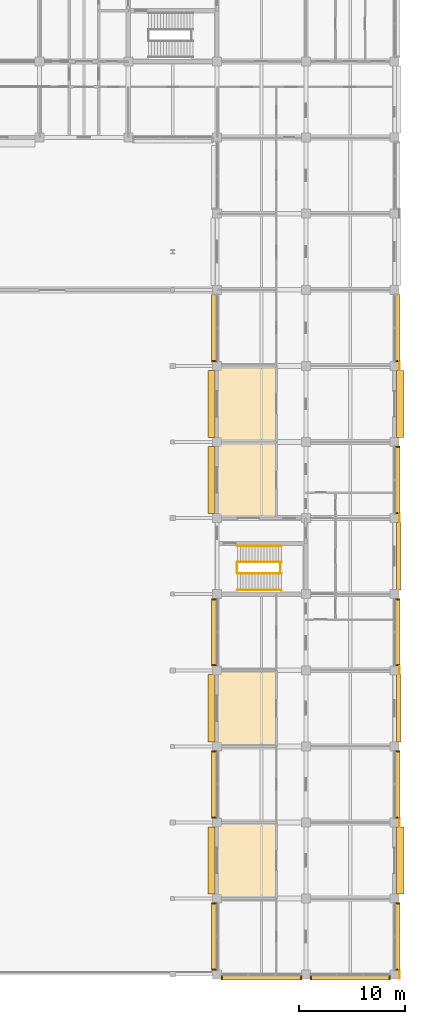
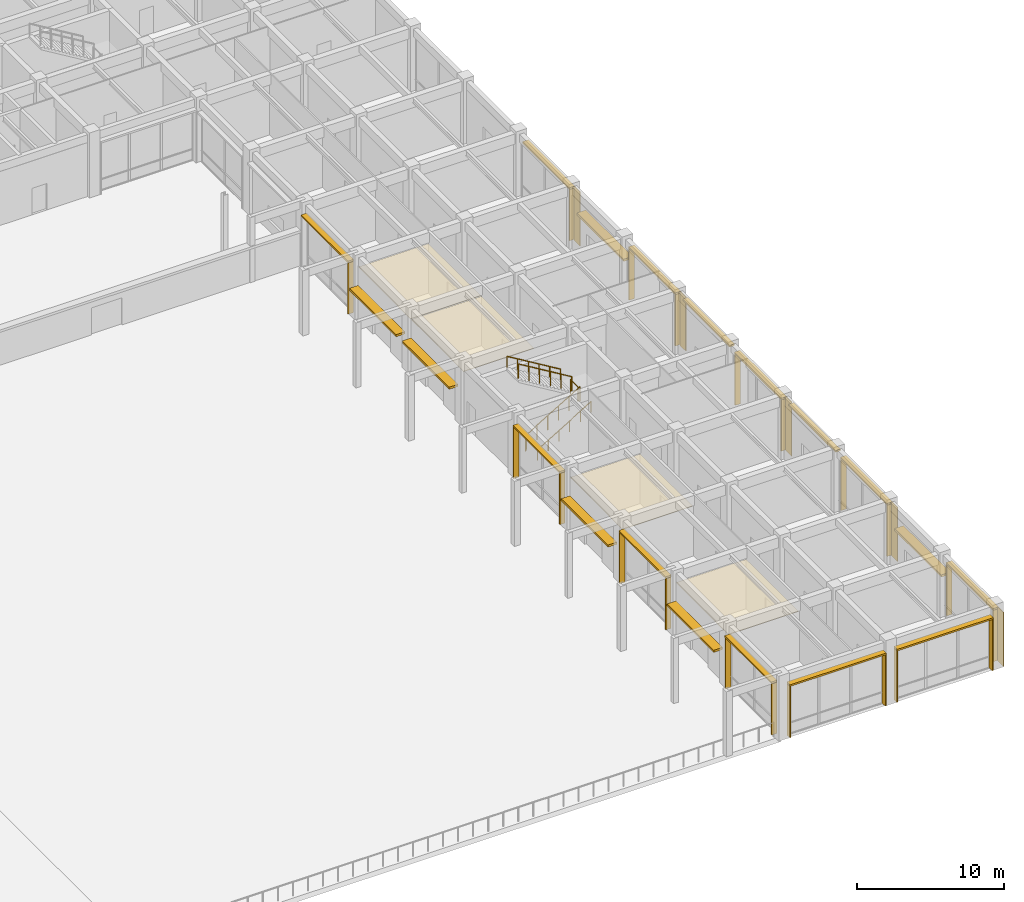
# One storey, part 72 of 73: 39 shading devices, 9 coverings, 6 railings.
"""IFC4 building model written with IfcOpenShell, lengths in metres."""

from ifc_helpers import new_model, si_unit, direction, frame, origin, origin_2d, place, context, subcontext, project, spatial, polyline, rectangle, circle, outline, extrude, material, layer, layer_set, type_object, element, save


model = new_model("IFC4")

# Units and contexts
model_context = context("Model", 3, precision=1e-05, world=origin(), true_north=direction((0.0, 1.0)))
body_context = subcontext(model_context, "Body", "Model", "MODEL_VIEW")
ifc_project = project(units=[si_unit("LENGTHUNIT", "METRE"), si_unit("AREAUNIT", "SQUARE_METRE"), si_unit("VOLUMEUNIT", "CUBIC_METRE"), si_unit("PLANEANGLEUNIT", "RADIAN"), si_unit("MASSUNIT", "GRAM", prefix="KILO")], contexts=[model_context])

# Site, building, storey
site_placement = place(None, origin())
site = spatial("IfcSite", under=ifc_project, at=site_placement, CompositionType="ELEMENT")
building_placement = place(site_placement, origin())
building = spatial("IfcBuilding", under=site, at=building_placement, Name="Chengyuan Square Courthouse", CompositionType="ELEMENT")
storey_placement = place(building_placement, origin())
storey = spatial("IfcBuildingStorey", under=building, at=storey_placement, Name="L01", CompositionType="ELEMENT", Elevation=0.0)

# Coverings
ifc_material_1 = material(Name="Flamed Liaoning Granite Column Cladding", Category="masonry")
ifc_layer_1 = layer(ifc_material_1, 0.050048828125)
ifc_layer_set_1 = layer_set([ifc_layer_1], Name="Flamed Liaoning Granite Column Cladding")
covering_type_1 = type_object("IfcCoveringType", Name="CLD-01", PredefinedType="CLADDING", material=ifc_layer_set_1)
for number, where, z_axis, x_axis, name in (
    (1, (168.445068359375, 0.0, 0.0), (0.0, 0.0, 1.0), (1.0, 0.0, 0.0), "Granite Column Cladding CLD-L01-07"),
    (2, (168.445068359375, 14.39990234375, 0.0), (0.0, 0.0, 1.0), (1.0, 0.0, 0.0), "Granite Column Cladding CLD-L01-08"),
    (3, (168.445068359375, 28.800048828125, 0.0), (0.0, 0.0, 1.0), (1.0, 0.0, 0.0), "Granite Column Cladding CLD-L01-09"),
    (4, (168.445068359375, 43.199951171875, 0.0), (0.0, 0.0, 1.0), (1.0, 0.0, 0.0), "Granite Column Cladding CLD-L01-10"),
    (5, (168.445068359375, 57.60009765625, 0.0), (0.0, 0.0, 1.0), (1.0, 0.0, 0.0), "Granite Column Cladding CLD-L01-11"),
):
    element("IfcCovering", number, at=place(storey_placement, frame(where, z_axis=z_axis, x_axis=x_axis)), inside=storey, type_object=covering_type_1, Name=name, PredefinedType="CLADDING", context=body_context, shape_type="SweptSolid", body=[
        extrude(rectangle(XDim=0.050048828125, YDim=0.800048828125, at=origin_2d()), origin(), (0.0, 0.0, 1.0), 4.5),
    ])
ifc_material_2 = material(Name="Perforated Larch Glulam Acoustic Slat Ceiling", Category="wood")
ifc_layer_2 = layer(ifc_material_2, 0.044921875)
ifc_layer_set_2 = layer_set([ifc_layer_2], Name="Perforated Larch Glulam Acoustic Slat Ceiling")
covering_type_2 = type_object("IfcCoveringType", Name="CLG-01", PredefinedType="CEILING", material=ifc_layer_set_2)
covering_1_placement = place(storey_placement, frame((0.0, 0.0, 4.02001953125)))
element("IfcCovering", 6, at=covering_1_placement, inside=storey, type_object=covering_type_2, Name="Acoustic Timber Slat Ceiling CLG-L01-WIR-E01", PredefinedType="CEILING", context=body_context, shape_type="SweptSolid", body=[
    extrude(outline(polyline([(151.25, 7.25), (156.75, 7.25), (156.75, 14.35009765625), (151.25, 14.35009765625), (151.25, 7.25)])), origin(), (0.0, 0.0, 1.0), 0.044921875),
])
covering_2_placement = place(storey_placement, frame((0.0, 0.0, 4.02001953125)))
element("IfcCovering", 7, at=covering_2_placement, inside=storey, type_object=covering_type_2, Name="Acoustic Timber Slat Ceiling CLG-L01-WIR-E03", PredefinedType="CEILING", context=body_context, shape_type="SweptSolid", body=[
    extrude(outline(polyline([(151.25, 21.64990234375), (156.75, 21.64990234375), (156.75, 28.75), (151.25, 28.75), (151.25, 21.64990234375)])), origin(), (0.0, 0.0, 1.0), 0.044921875),
])
covering_3_placement = place(storey_placement, frame((0.0, 0.0, 4.02001953125)))
element("IfcCovering", 8, at=covering_3_placement, inside=storey, type_object=covering_type_2, Name="Acoustic Timber Slat Ceiling CLG-L01-WIR-E06", PredefinedType="CEILING", context=body_context, shape_type="SweptSolid", body=[
    extrude(outline(polyline([(151.25, 43.25), (156.75, 43.25), (156.75, 50.35009765625), (151.25, 50.35009765625), (151.25, 43.25)])), origin(), (0.0, 0.0, 1.0), 0.044921875),
])
covering_4_placement = place(storey_placement, frame((0.0, 0.0, 4.02001953125)))
element("IfcCovering", 9, at=covering_4_placement, inside=storey, type_object=covering_type_2, Name="Acoustic Timber Slat Ceiling CLG-L01-WIR-E07", PredefinedType="CEILING", context=body_context, shape_type="SweptSolid", body=[
    extrude(outline(polyline([(151.25, 50.449951171875), (156.75, 50.449951171875), (156.75, 57.550048828125), (151.25, 57.550048828125), (151.25, 50.449951171875)])), origin(), (0.0, 0.0, 1.0), 0.044921875),
])

# Railings
ifc_material_3 = material(Name="Tempered Glass and Timber Top-Rail Balustrade", Category="wood")
railing_type_1 = type_object("IfcRailingType", Name="RL-02", PredefinedType="BALUSTRADE", material=ifc_material_3)
for number, where, name in (
    (10, (153.090087890625, 38.0, 0.0), "Stair Floor Slot Guard ST-8 L01"),
    (11, (157.18994140625, 38.0, 2.699951171875), "Stair Landing Guard ST-8-L01"),
):
    element("IfcRailing", number, at=place(storey_placement, frame(where)), inside=storey, type_object=railing_type_1, Name=name, PredefinedType="BALUSTRADE", context=body_context, shape_type="SweptSolid", body=[
        extrude(circle(Radius=0.02392578125, at=origin_2d()), frame((0.0, 0.0, 1.17578125), z_axis=(0.0, 1.0, 0.0), x_axis=(-1.0, 0.0, 0.0)), (0.0, 0.0, 1.0), 1.0),
        extrude(circle(Radius=0.02099609375, at=origin_2d()), origin(), (0.0, 0.0, 1.0), 1.15185546875),
        extrude(circle(Radius=0.02099609375, at=origin_2d()), frame((0.0, 1.0, 0.0)), (0.0, 0.0, 1.0), 1.15185546875),
    ])
railing_1_placement = place(storey_placement, frame((153.110107421875, 37.949951171875, 0.168701171875)))
element("IfcRailing", 12, at=railing_1_placement, inside=storey, type_object=railing_type_1, Name="Stair Flight 1 Guard ST-8-L01", PredefinedType="BALUSTRADE", context=body_context, shape_type="SweptSolid", body=[
    extrude(circle(Radius=0.02392578125, at=origin_2d()), frame((0.0, 0.0, 1.17578125), z_axis=(0.856476492594, 0.0, 0.516186030065), x_axis=(0.0, 1.0, 0.0)), (0.0, 0.0, 1.0), 4.90380859375),
    extrude(circle(Radius=0.02099609375, at=origin_2d()), origin(), (0.0, 0.0, 1.0), 1.15185546875),
    extrude(circle(Radius=0.02099609375, at=origin_2d()), frame((0.840087890625, 0.0, 0.50634765625)), (0.0, 0.0, 1.0), 1.15185546875),
    extrude(circle(Radius=0.02099609375, at=origin_2d()), frame((1.679931640625, 0.0, 1.012451171875)), (0.0, 0.0, 1.0), 1.15185546875),
    extrude(circle(Radius=0.02099609375, at=origin_2d()), frame((2.52001953125, 0.0, 1.518798828125)), (0.0, 0.0, 1.0), 1.15185546875),
    extrude(circle(Radius=0.02099609375, at=origin_2d()), frame((3.35986328125, 0.0, 2.02490234375)), (0.0, 0.0, 1.0), 1.15185546875),
    extrude(circle(Radius=0.02099609375, at=origin_2d()), frame((4.199951171875, 0.0, 2.53125)), (0.0, 0.0, 1.0), 1.15185546875),
])
railing_2_placement = place(storey_placement, frame((157.31005859375, 39.050048828125, 2.868896484375)))
element("IfcRailing", 13, at=railing_2_placement, inside=storey, type_object=railing_type_1, Name="Stair Flight 2 Guard ST-8-L01", PredefinedType="BALUSTRADE", context=body_context, shape_type="SweptSolid", body=[
    extrude(circle(Radius=0.02392578125, at=origin_2d()), frame((0.0, 0.0, 1.17578125), z_axis=(-0.856498503035, 0.0, 0.5161495077), x_axis=(0.0, -1.0, 0.0)), (0.0, 0.0, 1.0), 4.903564453125),
    extrude(circle(Radius=0.02099609375, at=origin_2d()), origin(), (0.0, 0.0, 1.0), 1.15185546875),
    extrude(circle(Radius=0.02099609375, at=origin_2d()), frame((-0.840087890625, 0.0, 0.506103515625)), (0.0, 0.0, 1.0), 1.15185546875),
    extrude(circle(Radius=0.02099609375, at=origin_2d()), frame((-1.679931640625, 0.0, 1.012451171875)), (0.0, 0.0, 1.0), 1.15185546875),
    extrude(circle(Radius=0.02099609375, at=origin_2d()), frame((-2.52001953125, 0.0, 1.5185546875)), (0.0, 0.0, 1.0), 1.15185546875),
    extrude(circle(Radius=0.02099609375, at=origin_2d()), frame((-3.35986328125, 0.0, 2.02490234375)), (0.0, 0.0, 1.0), 1.15185546875),
    extrude(circle(Radius=0.02099609375, at=origin_2d()), frame((-4.199951171875, 0.0, 2.531005859375)), (0.0, 0.0, 1.0), 1.15185546875),
])
ifc_material_4 = material(Name="Stainless Steel S30408 Stair Handrail", Category="steel")
railing_type_2 = type_object("IfcRailingType", Name="RL-04", PredefinedType="HANDRAIL", material=ifc_material_4)
railing_3_placement = place(storey_placement, frame((153.110107421875, 36.419921875, 0.168701171875)))
element("IfcRailing", 14, at=railing_3_placement, inside=storey, type_object=railing_type_2, Name="Stair Flight 1 Handrail ST-8-L01", PredefinedType="HANDRAIL", context=body_context, shape_type="SweptSolid", body=[
    extrude(circle(Radius=0.02392578125, at=origin_2d()), frame((0.0, 0.0, 0.8759765625), z_axis=(0.856476492594, 0.0, 0.516186030065), x_axis=(0.0, 1.0, 0.0)), (0.0, 0.0, 1.0), 4.90380859375),
    extrude(circle(Radius=0.02099609375, at=origin_2d()), origin(), (0.0, 0.0, 1.0), 0.851806640625),
    extrude(circle(Radius=0.02099609375, at=origin_2d()), frame((0.840087890625, 0.0, 0.50634765625)), (0.0, 0.0, 1.0), 0.851806640625),
    extrude(circle(Radius=0.02099609375, at=origin_2d()), frame((1.679931640625, 0.0, 1.012451171875)), (0.0, 0.0, 1.0), 0.851806640625),
    extrude(circle(Radius=0.02099609375, at=origin_2d()), frame((2.52001953125, 0.0, 1.518798828125)), (0.0, 0.0, 1.0), 0.851806640625),
    extrude(circle(Radius=0.02099609375, at=origin_2d()), frame((3.35986328125, 0.0, 2.02490234375)), (0.0, 0.0, 1.0), 0.851806640625),
    extrude(circle(Radius=0.02099609375, at=origin_2d()), frame((4.199951171875, 0.0, 2.53125)), (0.0, 0.0, 1.0), 0.851806640625),
])
railing_4_placement = place(storey_placement, frame((157.31005859375, 40.580078125, 2.868896484375)))
element("IfcRailing", 15, at=railing_4_placement, inside=storey, type_object=railing_type_2, Name="Stair Flight 2 Handrail ST-8-L01", PredefinedType="HANDRAIL", context=body_context, shape_type="SweptSolid", body=[
    extrude(circle(Radius=0.02392578125, at=origin_2d()), frame((0.0, 0.0, 0.8759765625), z_axis=(-0.856498503035, 0.0, 0.5161495077), x_axis=(0.0, -1.0, 0.0)), (0.0, 0.0, 1.0), 4.903564453125),
    extrude(circle(Radius=0.02099609375, at=origin_2d()), origin(), (0.0, 0.0, 1.0), 0.851806640625),
    extrude(circle(Radius=0.02099609375, at=origin_2d()), frame((-0.840087890625, 0.0, 0.506103515625)), (0.0, 0.0, 1.0), 0.851806640625),
    extrude(circle(Radius=0.02099609375, at=origin_2d()), frame((-1.679931640625, 0.0, 1.012451171875)), (0.0, 0.0, 1.0), 0.851806640625),
    extrude(circle(Radius=0.02099609375, at=origin_2d()), frame((-2.52001953125, 0.0, 1.5185546875)), (0.0, 0.0, 1.0), 0.851806640625),
    extrude(circle(Radius=0.02099609375, at=origin_2d()), frame((-3.35986328125, 0.0, 2.02490234375)), (0.0, 0.0, 1.0), 0.851806640625),
    extrude(circle(Radius=0.02099609375, at=origin_2d()), frame((-4.199951171875, 0.0, 2.531005859375)), (0.0, 0.0, 1.0), 0.851806640625),
])

# Shading devices
ifc_material_5 = material(Name="Glulam TCt28 Solar Shading Fin", Category="wood")
shading_device_type_1 = type_object("IfcShadingDeviceType", Name="SHD-01", PredefinedType="JALOUSIE", material=ifc_material_5)
for number, where, z_axis, x_axis, name in (
    (16, (151.655029296875, -0.281982421875, 0.0400390625), (0.0, 0.0, 1.0), (0.0, 1.0, 0.0), "Glulam Solar Fin SHD-L01-0079"),
    (17, (159.14501953125, -0.281982421875, 0.0400390625), (0.0, 0.0, 1.0), (0.0, 1.0, 0.0), "Glulam Solar Fin SHD-L01-0080"),
    (18, (150.907958984375, 0.45751953125, 0.0400390625), (0.0, 0.0, 1.0), (1.0, 0.0, 0.0), "Glulam Solar Fin SHD-L01-0082"),
    (19, (150.907958984375, 6.742431640625, 0.0400390625), (0.0, 0.0, 1.0), (1.0, 0.0, 0.0), "Glulam Solar Fin SHD-L01-0083"),
    (20, (150.907958984375, 14.857421875, 0.0400390625), (0.0, 0.0, 1.0), (1.0, 0.0, 0.0), "Glulam Solar Fin SHD-L01-0086"),
    (21, (150.907958984375, 21.142578125, 0.0400390625), (0.0, 0.0, 1.0), (1.0, 0.0, 0.0), "Glulam Solar Fin SHD-L01-0087"),
    (22, (150.907958984375, 29.257568359375, 0.0400390625), (0.0, 0.0, 1.0), (1.0, 0.0, 0.0), "Glulam Solar Fin SHD-L01-0090"),
    (23, (150.907958984375, 35.54248046875, 0.0400390625), (0.0, 0.0, 1.0), (1.0, 0.0, 0.0), "Glulam Solar Fin SHD-L01-0091"),
    (24, (150.907958984375, 58.0576171875, 0.0400390625), (0.0, 0.0, 1.0), (1.0, 0.0, 0.0), "Glulam Solar Fin SHD-L01-0095"),
    (25, (160.054931640625, -0.281982421875, 0.0400390625), (0.0, 0.0, 1.0), (0.0, 1.0, 0.0), "Glulam Solar Fin SHD-L01-0101"),
    (26, (167.544921875, -0.281982421875, 0.0400390625), (0.0, 0.0, 1.0), (0.0, 1.0, 0.0), "Glulam Solar Fin SHD-L01-0102"),
    (27, (168.2919921875, 0.45751953125, 0.0400390625), (0.0, 0.0, 1.0), (1.0, 0.0, 0.0), "Glulam Solar Fin SHD-L01-0104"),
    (28, (168.2919921875, 6.742431640625, 0.0400390625), (0.0, 0.0, 1.0), (1.0, 0.0, 0.0), "Glulam Solar Fin SHD-L01-0105"),
    (29, (168.2919921875, 14.857421875, 0.0400390625), (0.0, 0.0, 1.0), (1.0, 0.0, 0.0), "Glulam Solar Fin SHD-L01-0108"),
    (30, (168.2919921875, 21.142578125, 0.0400390625), (0.0, 0.0, 1.0), (1.0, 0.0, 0.0), "Glulam Solar Fin SHD-L01-0109"),
    (31, (168.2919921875, 29.257568359375, 0.0400390625), (0.0, 0.0, 1.0), (1.0, 0.0, 0.0), "Glulam Solar Fin SHD-L01-0112"),
    (32, (168.2919921875, 35.54248046875, 0.0400390625), (0.0, 0.0, 1.0), (1.0, 0.0, 0.0), "Glulam Solar Fin SHD-L01-0113"),
    (33, (168.2919921875, 43.657470703125, 0.0400390625), (0.0, 0.0, 1.0), (1.0, 0.0, 0.0), "Glulam Solar Fin SHD-L01-0116"),
    (34, (168.2919921875, 49.9423828125, 0.0400390625), (0.0, 0.0, 1.0), (1.0, 0.0, 0.0), "Glulam Solar Fin SHD-L01-0117"),
    (35, (168.2919921875, 58.0576171875, 0.0400390625), (0.0, 0.0, 1.0), (1.0, 0.0, 0.0), "Glulam Solar Fin SHD-L01-0120"),
):
    element("IfcShadingDevice", number, at=place(storey_placement, frame(where, z_axis=z_axis, x_axis=x_axis)), inside=storey, type_object=shading_device_type_1, Name=name, PredefinedType="JALOUSIE", context=body_context, shape_type="SweptSolid", body=[
        extrude(rectangle(XDim=0.419921875, YDim=0.094970703125, at=origin_2d()), origin(), (0.0, 0.0, 1.0), 4.260009765625),
    ])
ifc_material_6 = material(Name="Glulam TCt28 Sunshade Louvre", Category="wood")
shading_device_type_2 = type_object("IfcShadingDeviceType", Name="SHD-02", PredefinedType="AWNING", material=ifc_material_6)
shading_device_1_placement = place(storey_placement, frame((155.39990234375, -0.281982421875, 4.30029296875), z_axis=(0.0, 0.0, 1.0), x_axis=(1.0, 0.0, 0.0)))
element("IfcShadingDevice", 36, at=shading_device_1_placement, inside=storey, type_object=shading_device_type_2, Name="Glulam Sunshade Louvre SHD-L01-0081", PredefinedType="AWNING", context=body_context, shape_type="SweptSolid", body=[
    extrude(rectangle(XDim=7.550048828125, YDim=0.43994140625, at=origin_2d()), origin(), (0.0, 0.0, 1.0), 0.139892578125),
])
for number, where, z_axis, x_axis, name in (
    (37, (150.907958984375, 3.60009765625, 4.30029296875), (0.0, 0.0, 1.0), (0.0, 1.0, 0.0), "Glulam Sunshade Louvre SHD-L01-0084"),
    (38, (150.907958984375, 18.0, 4.30029296875), (0.0, 0.0, 1.0), (0.0, 1.0, 0.0), "Glulam Sunshade Louvre SHD-L01-0088"),
    (39, (150.907958984375, 32.39990234375, 4.30029296875), (0.0, 0.0, 1.0), (0.0, 1.0, 0.0), "Glulam Sunshade Louvre SHD-L01-0092"),
    (40, (150.907958984375, 61.199951171875, 4.30029296875), (0.0, 0.0, 1.0), (0.0, 1.0, 0.0), "Glulam Sunshade Louvre SHD-L01-0097"),
):
    element("IfcShadingDevice", number, at=place(storey_placement, frame(where, z_axis=z_axis, x_axis=x_axis)), inside=storey, type_object=shading_device_type_2, Name=name, PredefinedType="AWNING", context=body_context, shape_type="SweptSolid", body=[
        extrude(rectangle(XDim=6.35009765625, YDim=0.43994140625, at=origin_2d()), origin(), (0.0, 0.0, 1.0), 0.139892578125),
    ])
shading_device_2_placement = place(storey_placement, frame((163.800048828125, -0.281982421875, 4.30029296875), z_axis=(0.0, 0.0, 1.0), x_axis=(1.0, 0.0, 0.0)))
element("IfcShadingDevice", 41, at=shading_device_2_placement, inside=storey, type_object=shading_device_type_2, Name="Glulam Sunshade Louvre SHD-L01-0103", PredefinedType="AWNING", context=body_context, shape_type="SweptSolid", body=[
    extrude(rectangle(XDim=7.550048828125, YDim=0.43994140625, at=origin_2d()), origin(), (0.0, 0.0, 1.0), 0.139892578125),
])
for number, where, z_axis, x_axis, name in (
    (42, (168.2919921875, 3.60009765625, 4.30029296875), (0.0, 0.0, 1.0), (0.0, 1.0, 0.0), "Glulam Sunshade Louvre SHD-L01-0106"),
    (43, (168.2919921875, 18.0, 4.30029296875), (0.0, 0.0, 1.0), (0.0, 1.0, 0.0), "Glulam Sunshade Louvre SHD-L01-0110"),
    (44, (168.2919921875, 32.39990234375, 4.30029296875), (0.0, 0.0, 1.0), (0.0, 1.0, 0.0), "Glulam Sunshade Louvre SHD-L01-0114"),
    (45, (168.2919921875, 46.800048828125, 4.30029296875), (0.0, 0.0, 1.0), (0.0, 1.0, 0.0), "Glulam Sunshade Louvre SHD-L01-0118"),
    (46, (168.2919921875, 61.199951171875, 4.30029296875), (0.0, 0.0, 1.0), (0.0, 1.0, 0.0), "Glulam Sunshade Louvre SHD-L01-0122"),
):
    element("IfcShadingDevice", number, at=place(storey_placement, frame(where, z_axis=z_axis, x_axis=x_axis)), inside=storey, type_object=shading_device_type_2, Name=name, PredefinedType="AWNING", context=body_context, shape_type="SweptSolid", body=[
        extrude(rectangle(XDim=6.35009765625, YDim=0.43994140625, at=origin_2d()), origin(), (0.0, 0.0, 1.0), 0.139892578125),
    ])
ifc_material_7 = material(Name="Glulam TCt28 Facade Sunshade", Category="wood")
shading_device_type_3 = type_object("IfcShadingDeviceType", Name="SHD-03", PredefinedType="AWNING", material=ifc_material_7)
for number, where, z_axis, x_axis, name in (
    (47, (168.382080078125, 25.199951171875, 4.2802734375), (0.0, 0.0, 1.0), (0.0, 1.0, 0.0), "Glulam Facade Sunshade SHD-L01-0111"),
    (48, (168.382080078125, 39.60009765625, 4.2802734375), (0.0, 0.0, 1.0), (0.0, 1.0, 0.0), "Glulam Facade Sunshade SHD-L01-0115"),
):
    element("IfcShadingDevice", number, at=place(storey_placement, frame(where, z_axis=z_axis, x_axis=x_axis)), inside=storey, type_object=shading_device_type_3, Name=name, PredefinedType="AWNING", context=body_context, shape_type="SweptSolid", body=[
        extrude(rectangle(XDim=6.360107421875, YDim=0.39990234375, at=origin_2d()), origin(), (0.0, 0.0, 1.0), 0.139892578125),
    ])
ifc_material_8 = material(Name="Glulam TCt28 Entrance Canopy", Category="wood")
shading_device_type_4 = type_object("IfcShadingDeviceType", Name="SHD-05", PredefinedType="AWNING", material=ifc_material_8)
for number, where, z_axis, x_axis, name in (
    (49, (150.66796875, 10.800048828125, 2.66015625), (0.0, 0.0, 1.0), (0.0, 1.0, 0.0), "Glulam Entrance Canopy SHD-L01-0085"),
    (50, (150.66796875, 25.199951171875, 2.66015625), (0.0, 0.0, 1.0), (0.0, 1.0, 0.0), "Glulam Entrance Canopy SHD-L01-0089"),
    (51, (150.66796875, 46.800048828125, 2.66015625), (0.0, 0.0, 1.0), (0.0, 1.0, 0.0), "Glulam Entrance Canopy SHD-L01-0093"),
    (52, (150.66796875, 54.0, 2.66015625), (0.0, 0.0, 1.0), (0.0, 1.0, 0.0), "Glulam Entrance Canopy SHD-L01-0094"),
    (53, (168.531982421875, 10.800048828125, 2.66015625), (0.0, 0.0, 1.0), (0.0, 1.0, 0.0), "Glulam Entrance Canopy SHD-L01-0107"),
    (54, (168.531982421875, 54.0, 2.66015625), (0.0, 0.0, 1.0), (0.0, 1.0, 0.0), "Glulam Entrance Canopy SHD-L01-0119"),
):
    element("IfcShadingDevice", number, at=place(storey_placement, frame(where, z_axis=z_axis, x_axis=x_axis)), inside=storey, type_object=shading_device_type_4, Name=name, PredefinedType="AWNING", context=body_context, shape_type="SweptSolid", body=[
        extrude(rectangle(XDim=6.360107421875, YDim=0.699951171875, at=origin_2d()), origin(), (0.0, 0.0, 1.0), 0.179931640625),
    ])

save(model, "model.ifc")
